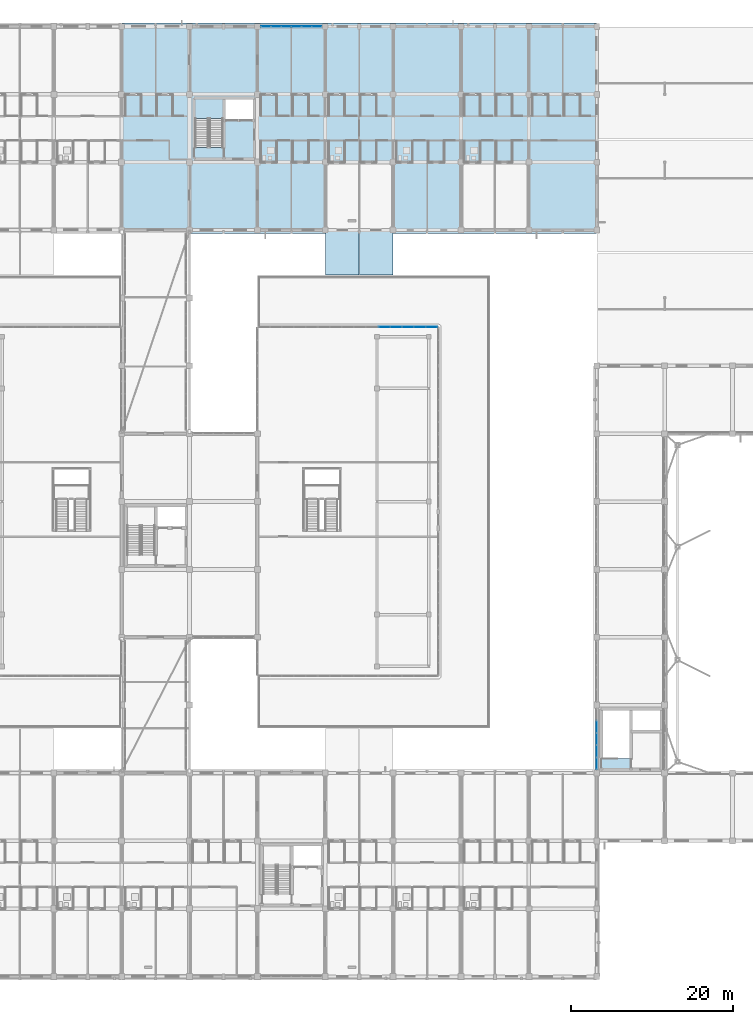
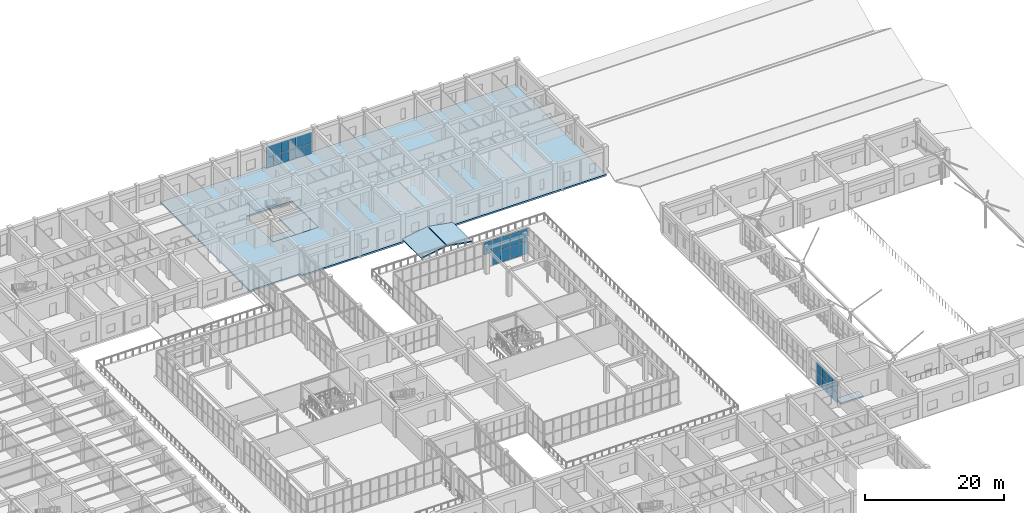
# One storey, part 110 of 158: 29 plates, 7 slabs, 4 elements without a shape of their own.
"""IFC4 building model written with IfcOpenShell, lengths in metres."""

from ifc_helpers import new_model, si_unit, direction, frame, origin, origin_2d, place, context, subcontext, project, spatial, polyline, rectangle, outline, extrude, material, layer, layer_set, type_object, element, aggregate, save


model = new_model("IFC4")

# Units and contexts
model_context = context("Model", 3, precision=1e-05, world=origin(), true_north=direction((0.0, 1.0)))
body_context = subcontext(model_context, "Body", "Model", "MODEL_VIEW")
ifc_project = project(units=[si_unit("LENGTHUNIT", "METRE"), si_unit("AREAUNIT", "SQUARE_METRE"), si_unit("VOLUMEUNIT", "CUBIC_METRE"), si_unit("PLANEANGLEUNIT", "RADIAN"), si_unit("MASSUNIT", "GRAM", prefix="KILO")], contexts=[model_context])

# Site, building, storey
site_placement = place(None, origin())
site = spatial("IfcSite", under=ifc_project, at=site_placement, CompositionType="ELEMENT")
building_placement = place(site_placement, origin())
building = spatial("IfcBuilding", under=site, at=building_placement, Name="Trelvath General Hospital", CompositionType="ELEMENT")
storey_placement = place(building_placement, frame((0.0, 0.0, 8.10009765625)))
storey = spatial("IfcBuildingStorey", under=building, at=storey_placement, Name="L02", CompositionType="ELEMENT", Elevation=8.10009765625)

# Curtain wall, plates
ifc_material_1 = material(Name="Anodised aluminium and low-E glass", Category="aluminium")
ifc_layer_1 = layer(ifc_material_1, 0.159912109375)
ifc_layer_set_1 = layer_set([ifc_layer_1], Name="Anodised aluminium and low-E glass")
curtain_wall_type_1 = type_object("IfcCurtainWallType", Name="CW Facade 757 386 16", PredefinedType="USERDEFINED", material=ifc_layer_set_1)
curtain_wall_1_placement = place(storey_placement, origin())
curtain_wall_1 = element("IfcCurtainWall", 1, at=curtain_wall_1_placement, inside=storey, type_object=curtain_wall_type_1, Name="Facade Curtain Wall CW-045", ObjectType="Unitised Glazed Curtain Wall", PredefinedType="USERDEFINED")
ifc_material_2 = material(Name="Low-E laminated glass", Category="glass")
ifc_layer_2 = layer(ifc_material_2, 0.028076171875)
ifc_layer_set_2 = layer_set([ifc_layer_2], Name="Low-E laminated glass")
plate_type_1 = type_object("IfcPlateType", Name="CurtainPanel Glass28", PredefinedType="CURTAIN_PANEL", material=ifc_layer_set_2)
plate_1_placement = place(storey_placement, frame((93.4609375, 117.60009765625, 0.06005859375), z_axis=(0.0, 0.0, 1.0), x_axis=(1.0, 0.0, 0.0)))
plate_1 = element("IfcPlate", 2, at=plate_1_placement, type_object=plate_type_1, Name="CW-045 panel 1.1", PredefinedType="CURTAIN_PANEL", context=body_context, shape_type="SweptSolid", body=[
    extrude(rectangle(XDim=1.171630859375, YDim=0.028076171875, at=origin_2d()), origin(), (0.0, 0.0, 1.0), 1.762939453125),
])
plate_2_placement = place(storey_placement, frame((93.4609375, 117.60009765625, 1.8828125), z_axis=(0.0, 0.0, 1.0), x_axis=(1.0, 0.0, 0.0)))
plate_2 = element("IfcPlate", 3, at=plate_2_placement, type_object=plate_type_1, Name="CW-045 panel 1.2", PredefinedType="CURTAIN_PANEL", context=body_context, shape_type="SweptSolid", body=[
    extrude(rectangle(XDim=1.171630859375, YDim=0.028076171875, at=origin_2d()), origin(), (0.0, 0.0, 1.0), 1.9169921875),
])
plate_3_placement = place(storey_placement, frame((94.70751953125, 117.60009765625, 0.06005859375), z_axis=(0.0, 0.0, 1.0), x_axis=(1.0, 0.0, 0.0)))
plate_3 = element("IfcPlate", 4, at=plate_3_placement, type_object=plate_type_1, Name="CW-045 panel 2.1", PredefinedType="CURTAIN_PANEL", context=body_context, shape_type="SweptSolid", body=[
    extrude(rectangle(XDim=1.20166015625, YDim=0.028076171875, at=origin_2d()), origin(), (0.0, 0.0, 1.0), 1.762939453125),
])
plate_4_placement = place(storey_placement, frame((94.70751953125, 117.60009765625, 1.8828125), z_axis=(0.0, 0.0, 1.0), x_axis=(1.0, 0.0, 0.0)))
plate_4 = element("IfcPlate", 5, at=plate_4_placement, type_object=plate_type_1, Name="CW-045 panel 2.2", PredefinedType="CURTAIN_PANEL", context=body_context, shape_type="SweptSolid", body=[
    extrude(rectangle(XDim=1.20166015625, YDim=0.028076171875, at=origin_2d()), origin(), (0.0, 0.0, 1.0), 1.9169921875),
])
plate_5_placement = place(storey_placement, frame((95.96923828125, 117.60009765625, 0.06005859375), z_axis=(0.0, 0.0, 1.0), x_axis=(1.0, 0.0, 0.0)))
plate_5 = element("IfcPlate", 6, at=plate_5_placement, type_object=plate_type_1, Name="CW-045 panel 3.1", PredefinedType="CURTAIN_PANEL", context=body_context, shape_type="SweptSolid", body=[
    extrude(rectangle(XDim=1.20166015625, YDim=0.028076171875, at=origin_2d()), origin(), (0.0, 0.0, 1.0), 1.762939453125),
])
plate_6_placement = place(storey_placement, frame((95.96923828125, 117.60009765625, 1.8828125), z_axis=(0.0, 0.0, 1.0), x_axis=(1.0, 0.0, 0.0)))
plate_6 = element("IfcPlate", 7, at=plate_6_placement, type_object=plate_type_1, Name="CW-045 panel 3.2", PredefinedType="CURTAIN_PANEL", context=body_context, shape_type="SweptSolid", body=[
    extrude(rectangle(XDim=1.20166015625, YDim=0.028076171875, at=origin_2d()), origin(), (0.0, 0.0, 1.0), 1.9169921875),
])
plate_7_placement = place(storey_placement, frame((97.230712890625, 117.60009765625, 0.06005859375), z_axis=(0.0, 0.0, 1.0), x_axis=(1.0, 0.0, 0.0)))
plate_7 = element("IfcPlate", 8, at=plate_7_placement, type_object=plate_type_1, Name="CW-045 panel 4.1", PredefinedType="CURTAIN_PANEL", context=body_context, shape_type="SweptSolid", body=[
    extrude(rectangle(XDim=1.20166015625, YDim=0.028076171875, at=origin_2d()), origin(), (0.0, 0.0, 1.0), 1.762939453125),
])
plate_8_placement = place(storey_placement, frame((97.230712890625, 117.60009765625, 1.8828125), z_axis=(0.0, 0.0, 1.0), x_axis=(1.0, 0.0, 0.0)))
plate_8 = element("IfcPlate", 9, at=plate_8_placement, type_object=plate_type_1, Name="CW-045 panel 4.2", PredefinedType="CURTAIN_PANEL", context=body_context, shape_type="SweptSolid", body=[
    extrude(rectangle(XDim=1.20166015625, YDim=0.028076171875, at=origin_2d()), origin(), (0.0, 0.0, 1.0), 1.9169921875),
])
plate_9_placement = place(storey_placement, frame((98.492431640625, 117.60009765625, 0.06005859375), z_axis=(0.0, 0.0, 1.0), x_axis=(1.0, 0.0, 0.0)))
plate_9 = element("IfcPlate", 10, at=plate_9_placement, type_object=plate_type_1, Name="CW-045 panel 5.1", PredefinedType="CURTAIN_PANEL", context=body_context, shape_type="SweptSolid", body=[
    extrude(rectangle(XDim=1.20166015625, YDim=0.028076171875, at=origin_2d()), origin(), (0.0, 0.0, 1.0), 1.762939453125),
])
plate_10_placement = place(storey_placement, frame((98.492431640625, 117.60009765625, 1.8828125), z_axis=(0.0, 0.0, 1.0), x_axis=(1.0, 0.0, 0.0)))
plate_10 = element("IfcPlate", 11, at=plate_10_placement, type_object=plate_type_1, Name="CW-045 panel 5.2", PredefinedType="CURTAIN_PANEL", context=body_context, shape_type="SweptSolid", body=[
    extrude(rectangle(XDim=1.20166015625, YDim=0.028076171875, at=origin_2d()), origin(), (0.0, 0.0, 1.0), 1.9169921875),
])
plate_11_placement = place(storey_placement, frame((99.7392578125, 117.60009765625, 0.06005859375), z_axis=(0.0, 0.0, 1.0), x_axis=(1.0, 0.0, 0.0)))
plate_11 = element("IfcPlate", 12, at=plate_11_placement, type_object=plate_type_1, Name="CW-045 panel 6.1", PredefinedType="CURTAIN_PANEL", context=body_context, shape_type="SweptSolid", body=[
    extrude(rectangle(XDim=1.171630859375, YDim=0.028076171875, at=origin_2d()), origin(), (0.0, 0.0, 1.0), 1.762939453125),
])
plate_12_placement = place(storey_placement, frame((99.7392578125, 117.60009765625, 1.8828125), z_axis=(0.0, 0.0, 1.0), x_axis=(1.0, 0.0, 0.0)))
plate_12 = element("IfcPlate", 13, at=plate_12_placement, type_object=plate_type_1, Name="CW-045 panel 6.2", PredefinedType="CURTAIN_PANEL", context=body_context, shape_type="SweptSolid", body=[
    extrude(rectangle(XDim=1.171630859375, YDim=0.028076171875, at=origin_2d()), origin(), (0.0, 0.0, 1.0), 1.9169921875),
])
aggregate(curtain_wall_1, [plate_1, plate_2, plate_3, plate_4, plate_5, plate_6, plate_7, plate_8, plate_9, plate_10, plate_11, plate_12])

ifc_material_3 = material(Name="Anodised aluminium and low-E glass", Category="aluminium")
ifc_layer_3 = layer(ifc_material_3, 0.139892578125)
ifc_layer_set_3 = layer_set([ifc_layer_3], Name="Anodised aluminium and low-E glass")
curtain_wall_type_2 = type_object("IfcCurtainWallType", Name="CW CrystalCube 737 456 14", PredefinedType="USERDEFINED", material=ifc_layer_set_3)
curtain_wall_2_placement = place(storey_placement, origin())
curtain_wall_2 = element("IfcCurtainWall", 14, at=curtain_wall_2_placement, inside=storey, type_object=curtain_wall_type_2, Name="Crystal Cube Curtain Wall CUBE-E-T1 N3 L02", ObjectType="Unitised Glazed Curtain Wall", PredefinedType="USERDEFINED")
plate_13_placement = place(storey_placement, frame((108.10498046875, 80.39990234375, 2.309814453125), z_axis=(0.0, 0.0, 1.0), x_axis=(1.0, 0.0, 0.0)))
plate_13 = element("IfcPlate", 15, at=plate_13_placement, type_object=plate_type_1, Name="CW-210 panel 1.2", PredefinedType="CURTAIN_PANEL", context=body_context, shape_type="SweptSolid", body=[
    extrude(rectangle(XDim=1.38330078125, YDim=0.028076171875, at=origin_2d()), origin(), (0.0, 0.0, 1.0), 2.18994140625),
])
plate_14_placement = place(storey_placement, frame((109.563232421875, 80.39990234375, 0.059814453125), z_axis=(0.0, 0.0, 1.0), x_axis=(1.0, 0.0, 0.0)))
plate_14 = element("IfcPlate", 16, at=plate_14_placement, type_object=plate_type_1, Name="CW-210 panel 2.1", PredefinedType="CURTAIN_PANEL", context=body_context, shape_type="SweptSolid", body=[
    extrude(rectangle(XDim=1.413330078125, YDim=0.028076171875, at=origin_2d()), origin(), (0.0, 0.0, 1.0), 2.18994140625),
])
plate_15_placement = place(storey_placement, frame((109.563232421875, 80.39990234375, 2.309814453125), z_axis=(0.0, 0.0, 1.0), x_axis=(1.0, 0.0, 0.0)))
plate_15 = element("IfcPlate", 17, at=plate_15_placement, type_object=plate_type_1, Name="CW-210 panel 2.2", PredefinedType="CURTAIN_PANEL", context=body_context, shape_type="SweptSolid", body=[
    extrude(rectangle(XDim=1.413330078125, YDim=0.028076171875, at=origin_2d()), origin(), (0.0, 0.0, 1.0), 2.18994140625),
])
plate_16_placement = place(storey_placement, frame((111.03662109375, 80.39990234375, 0.059814453125), z_axis=(0.0, 0.0, 1.0), x_axis=(1.0, 0.0, 0.0)))
plate_16 = element("IfcPlate", 18, at=plate_16_placement, type_object=plate_type_1, Name="CW-210 panel 3.1", PredefinedType="CURTAIN_PANEL", context=body_context, shape_type="SweptSolid", body=[
    extrude(rectangle(XDim=1.413330078125, YDim=0.028076171875, at=origin_2d()), origin(), (0.0, 0.0, 1.0), 2.18994140625),
])
plate_17_placement = place(storey_placement, frame((111.03662109375, 80.39990234375, 2.309814453125), z_axis=(0.0, 0.0, 1.0), x_axis=(1.0, 0.0, 0.0)))
plate_17 = element("IfcPlate", 19, at=plate_17_placement, type_object=plate_type_1, Name="CW-210 panel 3.2", PredefinedType="CURTAIN_PANEL", context=body_context, shape_type="SweptSolid", body=[
    extrude(rectangle(XDim=1.413330078125, YDim=0.028076171875, at=origin_2d()), origin(), (0.0, 0.0, 1.0), 2.18994140625),
])
plate_18_placement = place(storey_placement, frame((112.510009765625, 80.39990234375, 0.059814453125), z_axis=(0.0, 0.0, 1.0), x_axis=(1.0, 0.0, 0.0)))
plate_18 = element("IfcPlate", 20, at=plate_18_placement, type_object=plate_type_1, Name="CW-210 panel 4.1", PredefinedType="CURTAIN_PANEL", context=body_context, shape_type="SweptSolid", body=[
    extrude(rectangle(XDim=1.413330078125, YDim=0.028076171875, at=origin_2d()), origin(), (0.0, 0.0, 1.0), 2.18994140625),
])
plate_19_placement = place(storey_placement, frame((112.510009765625, 80.39990234375, 2.309814453125), z_axis=(0.0, 0.0, 1.0), x_axis=(1.0, 0.0, 0.0)))
plate_19 = element("IfcPlate", 21, at=plate_19_placement, type_object=plate_type_1, Name="CW-210 panel 4.2", PredefinedType="CURTAIN_PANEL", context=body_context, shape_type="SweptSolid", body=[
    extrude(rectangle(XDim=1.413330078125, YDim=0.028076171875, at=origin_2d()), origin(), (0.0, 0.0, 1.0), 2.18994140625),
])
plate_20_placement = place(storey_placement, frame((113.96826171875, 80.39990234375, 0.059814453125), z_axis=(0.0, 0.0, 1.0), x_axis=(1.0, 0.0, 0.0)))
plate_20 = element("IfcPlate", 22, at=plate_20_placement, type_object=plate_type_1, Name="CW-210 panel 5.1", PredefinedType="CURTAIN_PANEL", context=body_context, shape_type="SweptSolid", body=[
    extrude(rectangle(XDim=1.38330078125, YDim=0.028076171875, at=origin_2d()), origin(), (0.0, 0.0, 1.0), 2.18994140625),
])
plate_21_placement = place(storey_placement, frame((113.96826171875, 80.39990234375, 2.309814453125), z_axis=(0.0, 0.0, 1.0), x_axis=(1.0, 0.0, 0.0)))
plate_21 = element("IfcPlate", 23, at=plate_21_placement, type_object=plate_type_1, Name="CW-210 panel 5.2", PredefinedType="CURTAIN_PANEL", context=body_context, shape_type="SweptSolid", body=[
    extrude(rectangle(XDim=1.38330078125, YDim=0.028076171875, at=origin_2d()), origin(), (0.0, 0.0, 1.0), 2.18994140625),
])
aggregate(curtain_wall_2, [plate_13, plate_14, plate_15, plate_16, plate_17, plate_18, plate_19, plate_20, plate_21])

ifc_material_4 = material(Name="Anodised aluminium and low-E glass", Category="aluminium")
ifc_layer_4 = layer(ifc_material_4, 0.179931640625)
ifc_layer_set_4 = layer_set([ifc_layer_4], Name="Anodised aluminium and low-E glass")
curtain_wall_type_3 = type_object("IfcCurtainWallType", Name="CW Facade 757 386 18", PredefinedType="USERDEFINED", material=ifc_layer_set_4)
curtain_wall_3_placement = place(storey_placement, origin())
curtain_wall_3 = element("IfcCurtainWall", 24, at=curtain_wall_3_placement, inside=storey, type_object=curtain_wall_type_3, Name="Facade Curtain Wall CW-046", ObjectType="Unitised Glazed Curtain Wall", PredefinedType="USERDEFINED")
ifc_material_5 = material(Name="Low-E laminated glass", Category="glass")
ifc_layer_5 = layer(ifc_material_5, 0.035888671875)
ifc_layer_set_5 = layer_set([ifc_layer_5], Name="Low-E laminated glass")
plate_type_2 = type_object("IfcPlateType", Name="CurtainPanel Glass36", PredefinedType="CURTAIN_PANEL", material=ifc_layer_set_5)
plate_22_placement = place(storey_placement, frame((134.39990234375, 26.38818359375, 0.06494140625), z_axis=(0.0, 0.0, 1.0), x_axis=(0.0, 1.0, 0.0)))
plate_22 = element("IfcPlate", 25, at=plate_22_placement, type_object=plate_type_2, Name="CW-046 panel 1.1", PredefinedType="CURTAIN_PANEL", context=body_context, shape_type="SweptSolid", body=[
    extrude(rectangle(XDim=1.41650390625, YDim=0.035888671875, at=origin_2d()), origin(), (0.0, 0.0, 1.0), 1.755615234375),
])
plate_23_placement = place(storey_placement, frame((134.39990234375, 26.38818359375, 1.88525390625), z_axis=(0.0, 0.0, 1.0), x_axis=(0.0, 1.0, 0.0)))
plate_23 = element("IfcPlate", 26, at=plate_23_placement, type_object=plate_type_2, Name="CW-046 panel 1.2", PredefinedType="CURTAIN_PANEL", context=body_context, shape_type="SweptSolid", body=[
    extrude(rectangle(XDim=1.41650390625, YDim=0.035888671875, at=origin_2d()), origin(), (0.0, 0.0, 1.0), 1.909423828125),
])
plate_24_placement = place(storey_placement, frame((134.39990234375, 27.885986328125, 0.06494140625), z_axis=(0.0, 0.0, 1.0), x_axis=(0.0, 1.0, 0.0)))
plate_24 = element("IfcPlate", 27, at=plate_24_placement, type_object=plate_type_2, Name="CW-046 panel 2.1", PredefinedType="CURTAIN_PANEL", context=body_context, shape_type="SweptSolid", body=[
    extrude(rectangle(XDim=1.448974609375, YDim=0.035888671875, at=origin_2d()), origin(), (0.0, 0.0, 1.0), 1.755615234375),
])
plate_25_placement = place(storey_placement, frame((134.39990234375, 27.885986328125, 1.88525390625), z_axis=(0.0, 0.0, 1.0), x_axis=(0.0, 1.0, 0.0)))
plate_25 = element("IfcPlate", 28, at=plate_25_placement, type_object=plate_type_2, Name="CW-046 panel 2.2", PredefinedType="CURTAIN_PANEL", context=body_context, shape_type="SweptSolid", body=[
    extrude(rectangle(XDim=1.448974609375, YDim=0.035888671875, at=origin_2d()), origin(), (0.0, 0.0, 1.0), 1.909423828125),
])
plate_26_placement = place(storey_placement, frame((134.39990234375, 29.39990234375, 0.06494140625), z_axis=(0.0, 0.0, 1.0), x_axis=(0.0, 1.0, 0.0)))
plate_26 = element("IfcPlate", 29, at=plate_26_placement, type_object=plate_type_2, Name="CW-046 panel 3.1", PredefinedType="CURTAIN_PANEL", context=body_context, shape_type="SweptSolid", body=[
    extrude(rectangle(XDim=1.448974609375, YDim=0.035888671875, at=origin_2d()), origin(), (0.0, 0.0, 1.0), 1.755615234375),
])
plate_27_placement = place(storey_placement, frame((134.39990234375, 29.39990234375, 1.88525390625), z_axis=(0.0, 0.0, 1.0), x_axis=(0.0, 1.0, 0.0)))
plate_27 = element("IfcPlate", 30, at=plate_27_placement, type_object=plate_type_2, Name="CW-046 panel 3.2", PredefinedType="CURTAIN_PANEL", context=body_context, shape_type="SweptSolid", body=[
    extrude(rectangle(XDim=1.448974609375, YDim=0.035888671875, at=origin_2d()), origin(), (0.0, 0.0, 1.0), 1.909423828125),
])
plate_28_placement = place(storey_placement, frame((134.39990234375, 30.9140625, 0.06494140625), z_axis=(0.0, 0.0, 1.0), x_axis=(0.0, 1.0, 0.0)))
plate_28 = element("IfcPlate", 31, at=plate_28_placement, type_object=plate_type_2, Name="CW-046 panel 4.1", PredefinedType="CURTAIN_PANEL", context=body_context, shape_type="SweptSolid", body=[
    extrude(rectangle(XDim=1.448974609375, YDim=0.035888671875, at=origin_2d()), origin(), (0.0, 0.0, 1.0), 1.755615234375),
])
plate_29_placement = place(storey_placement, frame((134.39990234375, 30.9140625, 1.88525390625), z_axis=(0.0, 0.0, 1.0), x_axis=(0.0, 1.0, 0.0)))
plate_29 = element("IfcPlate", 32, at=plate_29_placement, type_object=plate_type_2, Name="CW-046 panel 4.2", PredefinedType="CURTAIN_PANEL", context=body_context, shape_type="SweptSolid", body=[
    extrude(rectangle(XDim=1.448974609375, YDim=0.035888671875, at=origin_2d()), origin(), (0.0, 0.0, 1.0), 1.909423828125),
])
aggregate(curtain_wall_3, [plate_22, plate_23, plate_24, plate_25, plate_26, plate_27, plate_28, plate_29])

# Slabs
ifc_material_6 = material(Name="Concrete C35/45", Category="concrete")
ifc_layer_6 = layer(ifc_material_6, 0.280029296875)
ifc_layer_set_6 = layer_set([ifc_layer_6], Name="Concrete C35/45")
slab_type_1 = type_object("IfcSlabType", Name="FlatSlab Clinical280", PredefinedType="FLOOR", material=ifc_layer_set_6)
slab_1_placement = place(storey_placement, frame((0.0, 0.0, -0.280029296875)))
element("IfcSlab", 33, at=slab_1_placement, inside=storey, type_object=slab_type_1, Name="Floor Slab SL-L02-V5-N1", PredefinedType="FLOOR", context=body_context, shape_type="SweptSolid", body=[
    extrude(outline(polyline([(75.6201171875, 92.39990234375), (75.6201171875, 118.02001953125), (134.39990234375, 118.02001953125), (134.39990234375, 91.97998046875), (109.199951171875, 91.97998046875), (109.199951171875, 92.39990234375), (100.800048828125, 92.39990234375), (100.800048828125, 91.97998046875), (84.0, 91.97998046875), (84.0, 92.39990234375), (75.6201171875, 92.39990234375)]), holes=[polyline([(84.550048828125, 101.199951171875), (92.050048828125, 101.199951171875), (92.050048828125, 108.75), (84.550048828125, 108.75), (84.550048828125, 101.199951171875)])]), origin(), (0.0, 0.0, 1.0), 0.280029296875),
])
slab_2_placement = place(storey_placement, frame((0.0, 0.0, -0.280029296875)))
element("IfcSlab", 34, at=slab_2_placement, inside=storey, type_object=slab_type_1, Name="Core Lobby Slab C2 L02", PredefinedType="FLOOR", context=body_context, shape_type="SweptSolid", body=[
    extrude(outline(polyline([(88.25, 101.199951171875), (92.050048828125, 101.199951171875), (92.050048828125, 105.949951171875), (88.25, 105.949951171875), (88.25, 101.199951171875)])), origin(), (0.0, 0.0, 1.0), 0.280029296875),
])
slab_3_placement = place(storey_placement, frame((0.0, 0.0, -0.280029296875)))
element("IfcSlab", 35, at=slab_3_placement, inside=storey, type_object=slab_type_1, Name="Stair Landing Slab C2 L02", PredefinedType="FLOOR", context=body_context, shape_type="SweptSolid", body=[
    extrude(outline(polyline([(84.550048828125, 101.199951171875), (88.25, 101.199951171875), (88.25, 102.60009765625), (84.550048828125, 102.60009765625), (84.550048828125, 101.199951171875)])), origin(), (0.0, 0.0, 1.0), 0.280029296875),
])
slab_4_placement = place(storey_placement, frame((0.0, 0.0, -0.280029296875)))
element("IfcSlab", 36, at=slab_4_placement, inside=storey, type_object=slab_type_1, Name="Stair Landing Slab C7 L02", PredefinedType="FLOOR", context=body_context, shape_type="SweptSolid", body=[
    extrude(outline(polyline([(134.949951171875, 25.60009765625), (138.64990234375, 25.60009765625), (138.64990234375, 27.0), (134.949951171875, 27.0), (134.949951171875, 25.60009765625)])), origin(), (0.0, 0.0, 1.0), 0.280029296875),
])
ifc_material_7 = material(Name="Concrete C35/45", Category="concrete")
ifc_layer_7 = layer(ifc_material_7, 0.219970703125)
ifc_layer_set_7 = layer_set([ifc_layer_7], Name="Concrete C35/45")
slab_type_2 = type_object("IfcSlabType", Name="RoofSlab Folded220", PredefinedType="ROOF", material=ifc_layer_set_7)
for number, where, z_axis, x_axis, name in (
    (37, (100.820068359375, 86.860107421875, 0.22998046875), (-0.171741769029, 0.0, 0.985142002338), (0.985142002338, 0.0, 0.171741769029), "Glazed Bridge Gable Roof BRG-N-E W"),
    (38, (105.050048828125, 86.860107421875, 0.949951171875), (0.171741769029, 0.0, 0.985142002338), (0.985142002338, 0.0, -0.171741769029), "Glazed Bridge Gable Roof BRG-N-E E"),
):
    element("IfcSlab", number, at=place(storey_placement, frame(where, z_axis=z_axis, x_axis=x_axis)), inside=storey, type_object=slab_type_2, Name=name, PredefinedType="ROOF", context=body_context, shape_type="SweptSolid", body=[
        extrude(outline(polyline([(0.0, 0.0), (4.192170065531839, 0.0), (4.192170065531839, 5.47998046875), (0.0, 5.47998046875), (0.0, 0.0)])), origin(), (0.0, 0.0, -1.0), 0.219970703125),
    ])

# Stair, slab
ifc_material_8 = material(Name="Concrete C35/45", Category="concrete")
stair_type = type_object("IfcStairType", Name="Stair Stretcher480", PredefinedType="TWO_STRAIGHT_RUN_STAIR", material=ifc_material_8)
stair_placement = place(storey_placement, origin())
stair = element("IfcStair", 39, at=stair_placement, inside=storey, type_object=stair_type, Name="Exit Stair ST2 L02", PredefinedType="TWO_STRAIGHT_RUN_STAIR")
ifc_material_9 = material(Name="Concrete C35/45", Category="concrete")
ifc_layer_8 = layer(ifc_material_9, 0.199951171875)
ifc_layer_set_8 = layer_set([ifc_layer_8], Name="Concrete C35/45")
slab_type_3 = type_object("IfcSlabType", Name="StairLanding 200", PredefinedType="LANDING", material=ifc_layer_set_8)
slab_5_placement = place(storey_placement, frame((0.0, 0.0, 2.199951171875)))
slab_5 = element("IfcSlab", 40, at=slab_5_placement, type_object=slab_type_3, Name="ST2-L02 landing 1", PredefinedType="LANDING", context=body_context, shape_type="SweptSolid", body=[
    extrude(outline(polyline([(84.56005859375, 106.239990234375), (88.239990234375, 106.239990234375), (88.239990234375, 108.739990234375), (84.56005859375, 108.739990234375), (84.56005859375, 106.239990234375)])), origin(), (0.0, 0.0, 1.0), 0.199951171875),
])
aggregate(stair, [slab_5])

save(model, "model.ifc")
